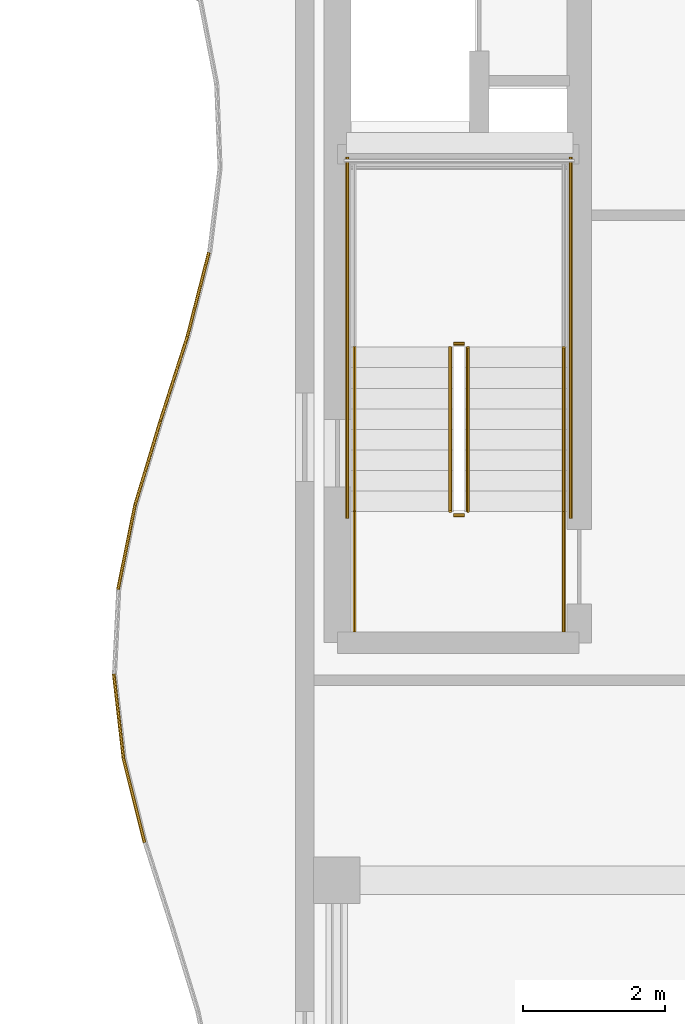
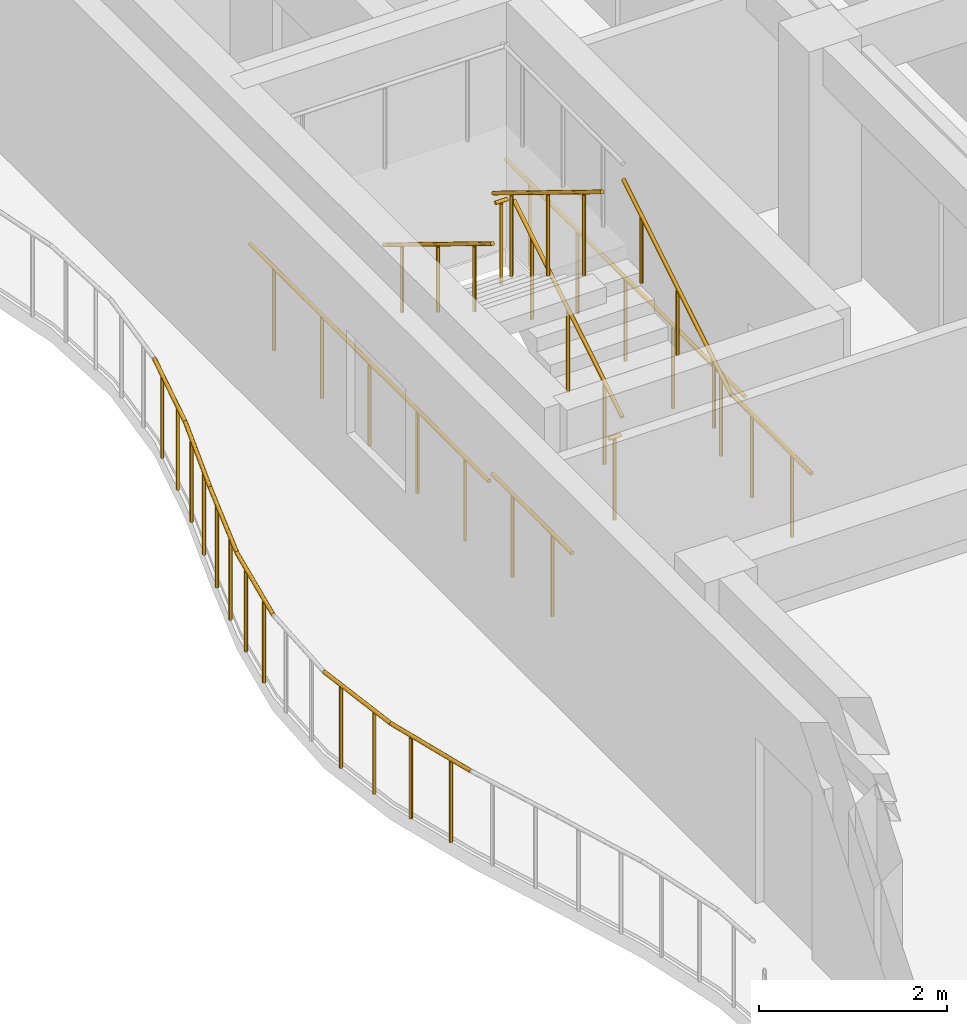
# One storey, part 105 of 128: 16 railings.
"""IFC4 building model written with IfcOpenShell, lengths in metres."""

from ifc_helpers import new_model, si_unit, direction, frame, origin, origin_2d, place, context, subcontext, project, spatial, circle, extrude, material, type_object, element, save


model = new_model("IFC4")

# Units and contexts
model_context = context("Model", 3, precision=1e-05, world=origin(), true_north=direction((0.0, 1.0)))
body_context = subcontext(model_context, "Body", "Model", "MODEL_VIEW")
ifc_project = project(units=[si_unit("LENGTHUNIT", "METRE"), si_unit("AREAUNIT", "SQUARE_METRE"), si_unit("VOLUMEUNIT", "CUBIC_METRE"), si_unit("PLANEANGLEUNIT", "RADIAN"), si_unit("MASSUNIT", "GRAM", prefix="KILO")], contexts=[model_context])

# Site, building, storey
site_placement = place(None, origin())
site = spatial("IfcSite", under=ifc_project, at=site_placement, CompositionType="ELEMENT")
building_placement = place(site_placement, origin())
building = spatial("IfcBuilding", under=site, at=building_placement, Name="Keldmere Railside Commons", CompositionType="ELEMENT")
storey_placement = place(building_placement, frame((0.0, 0.0, 4.159912109375)))
storey = spatial("IfcBuildingStorey", under=building, at=storey_placement, Name="L01", CompositionType="ELEMENT", Elevation=4.159912109375)

# Railings
ifc_material = material(Name="Steel F-24 (S235)", Category="steel")
railing_type_1 = type_object("IfcRailingType", Name="Balcony & Terrace Steel Balustrade 1100", PredefinedType="BALUSTRADE", material=ifc_material)
railing_1_placement = place(storey_placement, frame((45.73779296875, 64.533203125, 0.0)))
element("IfcRailing", 1, at=railing_1_placement, inside=storey, type_object=railing_type_1, Name="GR-1 GRD-L01-0858", PredefinedType="BALUSTRADE", context=body_context, shape_type="SweptSolid", body=[
    extrude(circle(Radius=0.02392578125, at=origin_2d()), frame((0.0, 0.0, 1.076171875), z_axis=(-0.242254359782, 0.970212773141, 0.0), x_axis=(-0.970212773141, -0.242254359782, 0.0)), (0.0, 0.0, 1.0), 1.2255859375),
    extrude(circle(Radius=0.02099609375, at=origin_2d()), frame((-0.07421875, 0.29736328125, 0.0)), (0.0, 0.0, 1.0), 1.048095703125),
    extrude(circle(Radius=0.02099609375, at=origin_2d()), frame((-0.22265625, 0.8916015625, 0.0)), (0.0, 0.0, 1.0), 1.048095703125),
])
railing_2_placement = place(storey_placement, frame((45.44091796875, 65.72216796875, 0.0)))
element("IfcRailing", 2, at=railing_2_placement, inside=storey, type_object=railing_type_1, Name="GR-1 GRD-L01-0859", PredefinedType="BALUSTRADE", context=body_context, shape_type="SweptSolid", body=[
    extrude(circle(Radius=0.02392578125, at=origin_2d()), frame((0.0, 0.0, 1.076171875), z_axis=(-0.114236956311, 0.993453530777, 0.0), x_axis=(-0.993453530777, -0.114236956311, 0.0)), (0.0, 0.0, 1.0), 1.19677734375),
    extrude(circle(Radius=0.02099609375, at=origin_2d()), frame((-0.0341796875, 0.29736328125, 0.0)), (0.0, 0.0, 1.0), 1.048095703125),
    extrude(circle(Radius=0.02099609375, at=origin_2d()), frame((-0.1025390625, 0.8916015625, 0.0)), (0.0, 0.0, 1.0), 1.048095703125),
])
railing_3_placement = place(storey_placement, frame((45.363525390625, 68.10009765625, 0.0)))
element("IfcRailing", 3, at=railing_3_placement, inside=storey, type_object=railing_type_1, Name="GR-1 GRD-L01-0861", PredefinedType="BALUSTRADE", context=body_context, shape_type="SweptSolid", body=[
    extrude(circle(Radius=0.02392578125, at=origin_2d()), frame((0.0, 0.0, 1.076171875), z_axis=(0.198090135046, 0.980183808475, 0.0), x_axis=(-0.980183808475, 0.198090135046, 0.0)), (0.0, 0.0, 1.0), 1.212646484375),
    extrude(circle(Radius=0.02099609375, at=origin_2d()), frame((0.06005859375, 0.297119140625, 0.0)), (0.0, 0.0, 1.0), 1.048095703125),
    extrude(circle(Radius=0.02099609375, at=origin_2d()), frame((0.18017578125, 0.8916015625, 0.0)), (0.0, 0.0, 1.0), 1.048095703125),
])
railing_4_placement = place(storey_placement, frame((45.603759765625, 69.288818359375, 0.0)))
element("IfcRailing", 4, at=railing_4_placement, inside=storey, type_object=railing_type_1, Name="GR-1 GRD-L01-0862", PredefinedType="BALUSTRADE", context=body_context, shape_type="SweptSolid", body=[
    extrude(circle(Radius=0.02392578125, at=origin_2d()), frame((0.0, 0.0, 1.076171875), z_axis=(0.287889065941, 0.957663764435, 0.0), x_axis=(-0.957663764435, 0.287889065941, 0.0)), (0.0, 0.0, 1.0), 1.241455078125),
    extrude(circle(Radius=0.02099609375, at=origin_2d()), frame((0.08935546875, 0.29736328125, 0.0)), (0.0, 0.0, 1.0), 1.048095703125),
    extrude(circle(Radius=0.02099609375, at=origin_2d()), frame((0.26806640625, 0.8916015625, 0.0)), (0.0, 0.0, 1.0), 1.048095703125),
])
railing_5_placement = place(storey_placement, frame((45.961181640625, 70.477783203125, 0.0)))
element("IfcRailing", 5, at=railing_5_placement, inside=storey, type_object=railing_type_1, Name="GR-1 GRD-L01-0863", PredefinedType="BALUSTRADE", context=body_context, shape_type="SweptSolid", body=[
    extrude(circle(Radius=0.02392578125, at=origin_2d()), frame((0.0, 0.0, 1.076171875), z_axis=(0.305236869001, 0.952276458704, 0.0), x_axis=(-0.952276458704, 0.305236869001, 0.0)), (0.0, 0.0, 1.0), 1.24853515625),
    extrude(circle(Radius=0.02099609375, at=origin_2d()), frame((0.09521484375, 0.29736328125, 0.0)), (0.0, 0.0, 1.0), 1.048095703125),
    extrude(circle(Radius=0.02099609375, at=origin_2d()), frame((0.285888671875, 0.8916015625, 0.0)), (0.0, 0.0, 1.0), 1.048095703125),
])
railing_6_placement = place(storey_placement, frame((46.34228515625, 71.666748046875, 0.0)))
element("IfcRailing", 6, at=railing_6_placement, inside=storey, type_object=railing_type_1, Name="GR-1 GRD-L01-0864", PredefinedType="BALUSTRADE", context=body_context, shape_type="SweptSolid", body=[
    extrude(circle(Radius=0.02392578125, at=origin_2d()), frame((0.0, 0.0, 1.076171875), z_axis=(0.24768126426, 0.968841571845, 0.0), x_axis=(-0.968841571845, 0.24768126426, 0.0)), (0.0, 0.0, 1.0), 1.227294921875),
    extrude(circle(Radius=0.02099609375, at=origin_2d()), frame((0.075927734375, 0.29736328125, 0.0)), (0.0, 0.0, 1.0), 1.048095703125),
    extrude(circle(Radius=0.02099609375, at=origin_2d()), frame((0.22802734375, 0.8916015625, 0.0)), (0.0, 0.0, 1.0), 1.048095703125),
])
railing_type_2 = type_object("IfcRailingType", Name="Stair Well Steel Guardrail 1100", PredefinedType="BALUSTRADE", material=ifc_material)
railing_7_placement = place(storey_placement, frame((50.300048828125, 69.199951171875, 0.177978515625)))
element("IfcRailing", 7, at=railing_7_placement, inside=storey, type_object=railing_type_2, Name="L01 ST-C1 stair guard 1", PredefinedType="BALUSTRADE", context=body_context, shape_type="SweptSolid", body=[
    extrude(circle(Radius=0.02392578125, at=origin_2d()), frame((0.0, 0.0, 1.076171875), z_axis=(0.0, 0.852578041948, 0.522599925744), x_axis=(-1.0, 0.0, 0.0)), (0.0, 0.0, 1.0), 2.72119140625),
    extrude(circle(Radius=0.02099609375, at=origin_2d()), frame((0.0, 0.38671875, 0.237060546875)), (0.0, 0.0, 1.0), 1.048095703125),
    extrude(circle(Radius=0.02099609375, at=origin_2d()), frame((0.0, 1.16015625, 0.7109375)), (0.0, 0.0, 1.0), 1.048095703125),
    extrude(circle(Radius=0.02099609375, at=origin_2d()), frame((0.0, 1.933349609375, 1.18505859375)), (0.0, 0.0, 1.0), 1.048095703125),
])
railing_8_placement = place(storey_placement, frame((50.25, 71.570068359375, 1.60009765625)))
element("IfcRailing", 8, at=railing_8_placement, inside=storey, type_object=railing_type_2, Name="L01 ST-C1 stair guard 2", PredefinedType="BALUSTRADE", context=body_context, shape_type="SweptSolid", body=[
    extrude(circle(Radius=0.02392578125, at=origin_2d()), frame((0.0, 0.0, 1.076171875), z_axis=(-1.0, 0.0, 0.0), x_axis=(0.0, -1.0, 0.0)), (0.0, 0.0, 1.0), 0.14990234375),
    extrude(circle(Radius=0.02099609375, at=origin_2d()), frame((-0.074951171875, 0.0, 0.0)), (0.0, 0.0, 1.0), 1.048095703125),
])
railing_9_placement = place(storey_placement, frame((50.050048828125, 71.52001953125, 1.77783203125)))
element("IfcRailing", 9, at=railing_9_placement, inside=storey, type_object=railing_type_2, Name="L01 ST-C1 stair guard 6", PredefinedType="BALUSTRADE", context=body_context, shape_type="SweptSolid", body=[
    extrude(circle(Radius=0.02392578125, at=origin_2d()), frame((0.0, 0.0, 1.076171875), z_axis=(0.0, -0.852538067394, 0.522665135287), x_axis=(1.0, 0.0, 0.0)), (0.0, 0.0, 1.0), 2.721435546875),
    extrude(circle(Radius=0.02099609375, at=origin_2d()), frame((0.0, -0.38671875, 0.237060546875)), (0.0, 0.0, 1.0), 1.048095703125),
    extrude(circle(Radius=0.02099609375, at=origin_2d()), frame((0.0, -1.16015625, 0.711181640625)), (0.0, 0.0, 1.0), 1.048095703125),
    extrude(circle(Radius=0.02099609375, at=origin_2d()), frame((0.0, -1.933349609375, 1.185302734375)), (0.0, 0.0, 1.0), 1.048095703125),
])
railing_10_placement = place(storey_placement, frame((50.25, 69.14990234375, 0.0)))
element("IfcRailing", 10, at=railing_10_placement, inside=storey, type_object=railing_type_2, Name="L01 ST-C1 stair guard 7", PredefinedType="BALUSTRADE", context=body_context, shape_type="SweptSolid", body=[
    extrude(circle(Radius=0.02392578125, at=origin_2d()), frame((0.0, 0.0, 1.076171875), z_axis=(-1.0, 0.0, 0.0), x_axis=(0.0, -1.0, 0.0)), (0.0, 0.0, 1.0), 0.14990234375),
    extrude(circle(Radius=0.02099609375, at=origin_2d()), frame((-0.074951171875, 0.0, 0.0)), (0.0, 0.0, 1.0), 1.048095703125),
])
for number, where, name in (
    (11, (51.64990234375, 67.5, 0.0), "L01 ST-C1 stair guard 8"),
    (12, (48.699951171875, 67.5, 0.0), "L01 ST-C1 stair guard 9"),
):
    element("IfcRailing", number, at=place(storey_placement, frame(where)), inside=storey, type_object=railing_type_2, Name=name, PredefinedType="BALUSTRADE", context=body_context, shape_type="SweptSolid", body=[
        extrude(circle(Radius=0.02392578125, at=origin_2d()), frame((0.0, 0.0, 1.076171875), z_axis=(0.0, 1.0, 0.0), x_axis=(-1.0, 0.0, 0.0)), (0.0, 0.0, 1.0), 1.699951171875),
        extrude(circle(Radius=0.02099609375, at=origin_2d()), frame((0.0, 0.425048828125, 0.0)), (0.0, 0.0, 1.0), 1.048095703125),
        extrude(circle(Radius=0.02099609375, at=origin_2d()), frame((0.0, 1.27490234375, 0.0)), (0.0, 0.0, 1.0), 1.048095703125),
    ])
for number, where, name in (
    (13, (51.75, 69.10009765625, 0.0), "L01 ST-C1 stair guard 10"),
    (14, (48.60009765625, 69.10009765625, 0.0), "L01 ST-C1 stair guard 11"),
):
    element("IfcRailing", number, at=place(storey_placement, frame(where)), inside=storey, type_object=railing_type_2, Name=name, PredefinedType="BALUSTRADE", context=body_context, shape_type="SweptSolid", body=[
        extrude(circle(Radius=0.02392578125, at=origin_2d()), frame((0.0, 0.0, 1.076171875), z_axis=(0.0, 1.0, 0.0), x_axis=(-1.0, 0.0, 0.0)), (0.0, 0.0, 1.0), 5.099853515625),
        extrude(circle(Radius=0.02099609375, at=origin_2d()), frame((0.0, 0.510009765625, 0.0)), (0.0, 0.0, 1.0), 1.048095703125),
        extrude(circle(Radius=0.02099609375, at=origin_2d()), frame((0.0, 1.530029296875, 0.0)), (0.0, 0.0, 1.0), 1.048095703125),
        extrude(circle(Radius=0.02099609375, at=origin_2d()), frame((0.0, 2.5498046875, 0.0)), (0.0, 0.0, 1.0), 1.048095703125),
        extrude(circle(Radius=0.02099609375, at=origin_2d()), frame((0.0, 3.56982421875, 0.0)), (0.0, 0.0, 1.0), 1.048095703125),
        extrude(circle(Radius=0.02099609375, at=origin_2d()), frame((0.0, 4.58984375, 0.0)), (0.0, 0.0, 1.0), 1.048095703125),
    ])
railing_type_3 = type_object("IfcRailingType", Name="Wall-Mounted Tubular Steel Handrail 900", PredefinedType="HANDRAIL", material=ifc_material)
railing_11_placement = place(storey_placement, frame((51.64990234375, 69.199951171875, 0.177978515625)))
element("IfcRailing", 15, at=railing_11_placement, inside=storey, type_object=railing_type_3, Name="L01 ST-C1 stair handrail 1", PredefinedType="HANDRAIL", context=body_context, shape_type="SweptSolid", body=[
    extrude(circle(Radius=0.02392578125, at=origin_2d()), frame((0.0, 0.0, 0.8759765625), z_axis=(0.0, 0.852578041948, 0.522599925744), x_axis=(-1.0, 0.0, 0.0)), (0.0, 0.0, 1.0), 2.72119140625),
    extrude(circle(Radius=0.02099609375, at=origin_2d()), frame((0.0, 0.38671875, 0.237060546875)), (0.0, 0.0, 1.0), 0.847900390625),
    extrude(circle(Radius=0.02099609375, at=origin_2d()), frame((0.0, 1.16015625, 0.7109375)), (0.0, 0.0, 1.0), 0.847900390625),
    extrude(circle(Radius=0.02099609375, at=origin_2d()), frame((0.0, 1.933349609375, 1.18505859375)), (0.0, 0.0, 1.0), 0.847900390625),
])
railing_12_placement = place(storey_placement, frame((48.699951171875, 71.52001953125, 1.77783203125)))
element("IfcRailing", 16, at=railing_12_placement, inside=storey, type_object=railing_type_3, Name="L01 ST-C1 stair handrail 2", PredefinedType="HANDRAIL", context=body_context, shape_type="SweptSolid", body=[
    extrude(circle(Radius=0.02392578125, at=origin_2d()), frame((0.0, 0.0, 0.8759765625), z_axis=(0.0, -0.852538067394, 0.522665135287), x_axis=(1.0, 0.0, 0.0)), (0.0, 0.0, 1.0), 2.721435546875),
    extrude(circle(Radius=0.02099609375, at=origin_2d()), frame((0.0, -0.38671875, 0.237060546875)), (0.0, 0.0, 1.0), 0.847900390625),
    extrude(circle(Radius=0.02099609375, at=origin_2d()), frame((0.0, -1.16015625, 0.711181640625)), (0.0, 0.0, 1.0), 0.847900390625),
    extrude(circle(Radius=0.02099609375, at=origin_2d()), frame((0.0, -1.933349609375, 1.185302734375)), (0.0, 0.0, 1.0), 0.847900390625),
])

save(model, "model.ifc")
